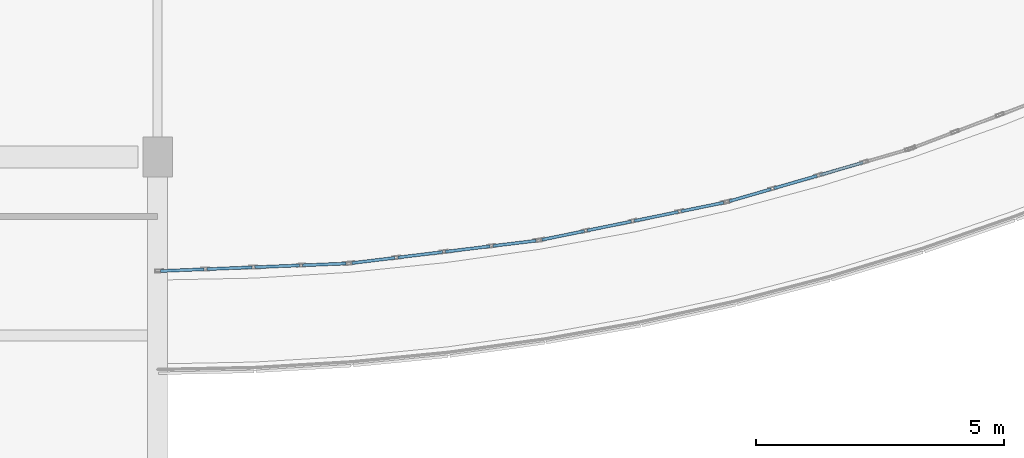
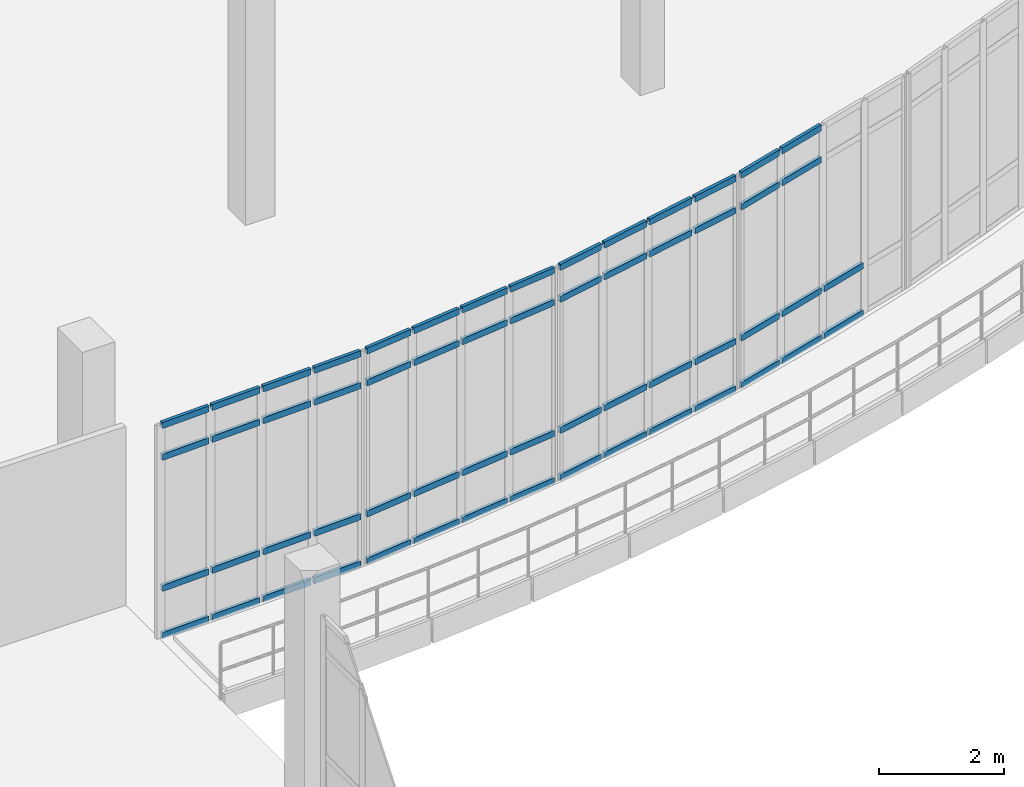
# One storey, part 82 of 124: 58 members, 4 elements without a shape of their own.
"""IFC4 building model written with IfcOpenShell, lengths in metres."""

from ifc_helpers import new_model, si_unit, direction, frame, origin, origin_2d, place, context, subcontext, project, spatial, hollow_rectangle, extrude, material, material_profile, profile_set, type_object, element, aggregate, save


model = new_model("IFC4")

# Units and contexts
model_context = context("Model", 3, precision=1e-05, world=origin(), true_north=direction((0.0, 1.0)))
body_context = subcontext(model_context, "Body", "Model", "MODEL_VIEW")
ifc_project = project(units=[si_unit("LENGTHUNIT", "METRE"), si_unit("AREAUNIT", "SQUARE_METRE"), si_unit("VOLUMEUNIT", "CUBIC_METRE"), si_unit("PLANEANGLEUNIT", "RADIAN"), si_unit("MASSUNIT", "GRAM", prefix="KILO")], contexts=[model_context])

# Site, building, storey
site_placement = place(None, origin())
site = spatial("IfcSite", under=ifc_project, at=site_placement, CompositionType="ELEMENT")
building_placement = place(site_placement, origin())
building = spatial("IfcBuilding", under=site, at=building_placement, Name="Kalluvel Institute of Natural Sciences", CompositionType="ELEMENT")
storey_placement = place(building_placement, frame((0.0, 0.0, 9.89990234375)))
storey = spatial("IfcBuildingStorey", under=building, at=storey_placement, Name="L02", CompositionType="ELEMENT", Elevation=9.89990234375)

# Curtain wall, members
ifc_material = material(Name="Aluminium AW-6063 T6", Category="aluminium")
curtain_wall_type = type_object("IfcCurtainWallType", Name="CW-ATR-ARC", PredefinedType="USERDEFINED", material=ifc_material)
curtain_wall_1_placement = place(storey_placement, origin())
curtain_wall_1 = element("IfcCurtainWall", 1, at=curtain_wall_1_placement, inside=storey, type_object=curtain_wall_type, Name="L02 Gothic lancet curtain wall CWA-L02-X356-Y549", ObjectType="UNITISED LANCET FACADE", PredefinedType="USERDEFINED")
ifc_material_profile = material_profile(ifc_material, hollow_rectangle(XDim=0.06005859375, YDim=0.1201171875, WallThickness=0.00390625, at=origin_2d()), Name="CWT 60x120")
ifc_profile_set = profile_set([ifc_material_profile], Name="Aluminium AW-6063 T6")
member_type = type_object("IfcMemberType", Name="CWT-60x120", PredefinedType="USERDEFINED", material=ifc_profile_set)
member_1_placement = place(storey_placement, frame((35.659912109375, 54.90234375, 0.030029296875), z_axis=(0.999191565767, 0.04020217532, 0.0), x_axis=(-0.04020217532, 0.999191565767, 0.0)))
member_1 = element("IfcMember", 2, at=member_1_placement, type_object=member_type, Name="CW-05 transom 1.1", ObjectType="TRANSOM", PredefinedType="USERDEFINED", context=body_context, shape_type="SweptSolid", body=[
    extrude(hollow_rectangle(XDim=0.06005859375, YDim=0.1201171875, WallThickness=0.00390625, at=origin_2d()), origin(), (0.0, 0.0, 1.0), 0.87451171875),
])
member_2_placement = place(storey_placement, frame((35.659912109375, 54.90234375, 0.9501953125), z_axis=(0.999191565767, 0.04020217532, 0.0), x_axis=(-0.04020217532, 0.999191565767, 0.0)))
member_2 = element("IfcMember", 3, at=member_2_placement, type_object=member_type, Name="CW-05 transom 1.2", ObjectType="TRANSOM", PredefinedType="USERDEFINED", context=body_context, shape_type="SweptSolid", body=[
    extrude(hollow_rectangle(XDim=0.06005859375, YDim=0.1201171875, WallThickness=0.00390625, at=origin_2d()), origin(), (0.0, 0.0, 1.0), 0.87451171875),
])
member_3_placement = place(storey_placement, frame((35.659912109375, 54.90234375, 3.5), z_axis=(0.999191565767, 0.04020217532, 0.0), x_axis=(-0.04020217532, 0.999191565767, 0.0)))
member_3 = element("IfcMember", 4, at=member_3_placement, type_object=member_type, Name="CW-05 transom 1.3", ObjectType="TRANSOM", PredefinedType="USERDEFINED", context=body_context, shape_type="SweptSolid", body=[
    extrude(hollow_rectangle(XDim=0.06005859375, YDim=0.1201171875, WallThickness=0.00390625, at=origin_2d()), origin(), (0.0, 0.0, 1.0), 0.87451171875),
])
member_4_placement = place(storey_placement, frame((35.659912109375, 54.90234375, 4.1201171875), z_axis=(0.999191565767, 0.04020217532, 0.0), x_axis=(-0.04020217532, 0.999191565767, 0.0)))
member_4 = element("IfcMember", 5, at=member_4_placement, type_object=member_type, Name="CW-05 transom 1.4", ObjectType="TRANSOM", PredefinedType="USERDEFINED", context=body_context, shape_type="SweptSolid", body=[
    extrude(hollow_rectangle(XDim=0.06005859375, YDim=0.1201171875, WallThickness=0.00390625, at=origin_2d()), origin(), (0.0, 0.0, 1.0), 0.87451171875),
])
member_5_placement = place(storey_placement, frame((36.593505859375, 54.93994140625, 0.030029296875), z_axis=(0.999179686781, 0.040496339643, 0.0), x_axis=(-0.040496339643, 0.999179686781, 0.0)))
member_5 = element("IfcMember", 6, at=member_5_placement, type_object=member_type, Name="CW-05 transom 2.1", ObjectType="TRANSOM", PredefinedType="USERDEFINED", context=body_context, shape_type="SweptSolid", body=[
    extrude(hollow_rectangle(XDim=0.06005859375, YDim=0.1201171875, WallThickness=0.00390625, at=origin_2d()), origin(), (0.0, 0.0, 1.0), 0.904296875),
])
member_6_placement = place(storey_placement, frame((36.593505859375, 54.93994140625, 0.9501953125), z_axis=(0.999179686781, 0.040496339643, 0.0), x_axis=(-0.040496339643, 0.999179686781, 0.0)))
member_6 = element("IfcMember", 7, at=member_6_placement, type_object=member_type, Name="CW-05 transom 2.2", ObjectType="TRANSOM", PredefinedType="USERDEFINED", context=body_context, shape_type="SweptSolid", body=[
    extrude(hollow_rectangle(XDim=0.06005859375, YDim=0.1201171875, WallThickness=0.00390625, at=origin_2d()), origin(), (0.0, 0.0, 1.0), 0.904296875),
])
member_7_placement = place(storey_placement, frame((36.593505859375, 54.93994140625, 3.5), z_axis=(0.999179686781, 0.040496339643, 0.0), x_axis=(-0.040496339643, 0.999179686781, 0.0)))
member_7 = element("IfcMember", 8, at=member_7_placement, type_object=member_type, Name="CW-05 transom 2.3", ObjectType="TRANSOM", PredefinedType="USERDEFINED", context=body_context, shape_type="SweptSolid", body=[
    extrude(hollow_rectangle(XDim=0.06005859375, YDim=0.1201171875, WallThickness=0.00390625, at=origin_2d()), origin(), (0.0, 0.0, 1.0), 0.904296875),
])
member_8_placement = place(storey_placement, frame((36.593505859375, 54.93994140625, 4.1201171875), z_axis=(0.999179686781, 0.040496339643, 0.0), x_axis=(-0.040496339643, 0.999179686781, 0.0)))
member_8 = element("IfcMember", 9, at=member_8_placement, type_object=member_type, Name="CW-05 transom 2.4", ObjectType="TRANSOM", PredefinedType="USERDEFINED", context=body_context, shape_type="SweptSolid", body=[
    extrude(hollow_rectangle(XDim=0.06005859375, YDim=0.1201171875, WallThickness=0.00390625, at=origin_2d()), origin(), (0.0, 0.0, 1.0), 0.904296875),
])
member_9_placement = place(storey_placement, frame((37.55712890625, 54.978759765625, 0.030029296875), z_axis=(0.999179686781, 0.040496339643, 0.0), x_axis=(-0.040496339643, 0.999179686781, 0.0)))
member_9 = element("IfcMember", 10, at=member_9_placement, type_object=member_type, Name="CW-05 transom 3.1", ObjectType="TRANSOM", PredefinedType="USERDEFINED", context=body_context, shape_type="SweptSolid", body=[
    extrude(hollow_rectangle(XDim=0.06005859375, YDim=0.1201171875, WallThickness=0.00390625, at=origin_2d()), origin(), (0.0, 0.0, 1.0), 0.904296875),
])
member_10_placement = place(storey_placement, frame((37.55712890625, 54.978759765625, 0.9501953125), z_axis=(0.999179686781, 0.040496339643, 0.0), x_axis=(-0.040496339643, 0.999179686781, 0.0)))
member_10 = element("IfcMember", 11, at=member_10_placement, type_object=member_type, Name="CW-05 transom 3.2", ObjectType="TRANSOM", PredefinedType="USERDEFINED", context=body_context, shape_type="SweptSolid", body=[
    extrude(hollow_rectangle(XDim=0.06005859375, YDim=0.1201171875, WallThickness=0.00390625, at=origin_2d()), origin(), (0.0, 0.0, 1.0), 0.904296875),
])
member_11_placement = place(storey_placement, frame((37.55712890625, 54.978759765625, 3.5), z_axis=(0.999179686781, 0.040496339643, 0.0), x_axis=(-0.040496339643, 0.999179686781, 0.0)))
member_11 = element("IfcMember", 12, at=member_11_placement, type_object=member_type, Name="CW-05 transom 3.3", ObjectType="TRANSOM", PredefinedType="USERDEFINED", context=body_context, shape_type="SweptSolid", body=[
    extrude(hollow_rectangle(XDim=0.06005859375, YDim=0.1201171875, WallThickness=0.00390625, at=origin_2d()), origin(), (0.0, 0.0, 1.0), 0.904296875),
])
member_12_placement = place(storey_placement, frame((37.55712890625, 54.978759765625, 4.1201171875), z_axis=(0.999179686781, 0.040496339643, 0.0), x_axis=(-0.040496339643, 0.999179686781, 0.0)))
member_12 = element("IfcMember", 13, at=member_12_placement, type_object=member_type, Name="CW-05 transom 3.4", ObjectType="TRANSOM", PredefinedType="USERDEFINED", context=body_context, shape_type="SweptSolid", body=[
    extrude(hollow_rectangle(XDim=0.06005859375, YDim=0.1201171875, WallThickness=0.00390625, at=origin_2d()), origin(), (0.0, 0.0, 1.0), 0.904296875),
])
member_13_placement = place(storey_placement, frame((38.520751953125, 55.017578125, 0.030029296875), z_axis=(0.999179854694, 0.040492196459, 0.0), x_axis=(-0.040492196459, 0.999179854694, 0.0)))
member_13 = element("IfcMember", 14, at=member_13_placement, type_object=member_type, Name="CW-05 transom 4.1", ObjectType="TRANSOM", PredefinedType="USERDEFINED", context=body_context, shape_type="SweptSolid", body=[
    extrude(hollow_rectangle(XDim=0.06005859375, YDim=0.1201171875, WallThickness=0.00390625, at=origin_2d()), origin(), (0.0, 0.0, 1.0), 0.874267578125),
])
member_14_placement = place(storey_placement, frame((38.520751953125, 55.017578125, 0.9501953125), z_axis=(0.999179854694, 0.040492196459, 0.0), x_axis=(-0.040492196459, 0.999179854694, 0.0)))
member_14 = element("IfcMember", 15, at=member_14_placement, type_object=member_type, Name="CW-05 transom 4.2", ObjectType="TRANSOM", PredefinedType="USERDEFINED", context=body_context, shape_type="SweptSolid", body=[
    extrude(hollow_rectangle(XDim=0.06005859375, YDim=0.1201171875, WallThickness=0.00390625, at=origin_2d()), origin(), (0.0, 0.0, 1.0), 0.874267578125),
])
member_15_placement = place(storey_placement, frame((38.520751953125, 55.017578125, 3.5), z_axis=(0.999179854694, 0.040492196459, 0.0), x_axis=(-0.040492196459, 0.999179854694, 0.0)))
member_15 = element("IfcMember", 16, at=member_15_placement, type_object=member_type, Name="CW-05 transom 4.3", ObjectType="TRANSOM", PredefinedType="USERDEFINED", context=body_context, shape_type="SweptSolid", body=[
    extrude(hollow_rectangle(XDim=0.06005859375, YDim=0.1201171875, WallThickness=0.00390625, at=origin_2d()), origin(), (0.0, 0.0, 1.0), 0.874267578125),
])
member_16_placement = place(storey_placement, frame((38.520751953125, 55.017578125, 4.1201171875), z_axis=(0.999179854694, 0.040492196459, 0.0), x_axis=(-0.040492196459, 0.999179854694, 0.0)))
member_16 = element("IfcMember", 17, at=member_16_placement, type_object=member_type, Name="CW-05 transom 4.4", ObjectType="TRANSOM", PredefinedType="USERDEFINED", context=body_context, shape_type="SweptSolid", body=[
    extrude(hollow_rectangle(XDim=0.06005859375, YDim=0.1201171875, WallThickness=0.00390625, at=origin_2d()), origin(), (0.0, 0.0, 1.0), 0.874267578125),
])
aggregate(curtain_wall_1, [member_1, member_2, member_3, member_4, member_5, member_6, member_7, member_8, member_9, member_10, member_11, member_12, member_13, member_14, member_15, member_16])

curtain_wall_2_placement = place(storey_placement, origin())
curtain_wall_2 = element("IfcCurtainWall", 18, at=curtain_wall_2_placement, inside=storey, type_object=curtain_wall_type, Name="L02 Gothic lancet curtain wall CWA-L02-X395-Y551", ObjectType="UNITISED LANCET FACADE", PredefinedType="USERDEFINED")
member_17_placement = place(storey_placement, frame((39.513916015625, 55.0625, 0.030029296875), z_axis=(0.992697347024, 0.120631576347, 0.0), x_axis=(-0.120631576347, 0.992697347024, 0.0)))
member_17 = element("IfcMember", 19, at=member_17_placement, type_object=member_type, Name="CW-05 transom 1.1", ObjectType="TRANSOM", PredefinedType="USERDEFINED", context=body_context, shape_type="SweptSolid", body=[
    extrude(hollow_rectangle(XDim=0.06005859375, YDim=0.1201171875, WallThickness=0.00390625, at=origin_2d()), origin(), (0.0, 0.0, 1.0), 0.874267578125),
])
member_18_placement = place(storey_placement, frame((39.513916015625, 55.0625, 0.9501953125), z_axis=(0.992697347024, 0.120631576347, 0.0), x_axis=(-0.120631576347, 0.992697347024, 0.0)))
member_18 = element("IfcMember", 20, at=member_18_placement, type_object=member_type, Name="CW-05 transom 1.2", ObjectType="TRANSOM", PredefinedType="USERDEFINED", context=body_context, shape_type="SweptSolid", body=[
    extrude(hollow_rectangle(XDim=0.06005859375, YDim=0.1201171875, WallThickness=0.00390625, at=origin_2d()), origin(), (0.0, 0.0, 1.0), 0.874267578125),
])
member_19_placement = place(storey_placement, frame((39.513916015625, 55.0625, 3.5), z_axis=(0.992697347024, 0.120631576347, 0.0), x_axis=(-0.120631576347, 0.992697347024, 0.0)))
member_19 = element("IfcMember", 21, at=member_19_placement, type_object=member_type, Name="CW-05 transom 1.3", ObjectType="TRANSOM", PredefinedType="USERDEFINED", context=body_context, shape_type="SweptSolid", body=[
    extrude(hollow_rectangle(XDim=0.06005859375, YDim=0.1201171875, WallThickness=0.00390625, at=origin_2d()), origin(), (0.0, 0.0, 1.0), 0.874267578125),
])
member_20_placement = place(storey_placement, frame((39.513916015625, 55.0625, 4.1201171875), z_axis=(0.992697347024, 0.120631576347, 0.0), x_axis=(-0.120631576347, 0.992697347024, 0.0)))
member_20 = element("IfcMember", 22, at=member_20_placement, type_object=member_type, Name="CW-05 transom 1.4", ObjectType="TRANSOM", PredefinedType="USERDEFINED", context=body_context, shape_type="SweptSolid", body=[
    extrude(hollow_rectangle(XDim=0.06005859375, YDim=0.1201171875, WallThickness=0.00390625, at=origin_2d()), origin(), (0.0, 0.0, 1.0), 0.874267578125),
])
member_21_placement = place(storey_placement, frame((40.44140625, 55.175048828125, 0.030029296875), z_axis=(0.992691698509, 0.120678049832, 0.0), x_axis=(-0.120678049832, 0.992691698509, 0.0)))
member_21 = element("IfcMember", 23, at=member_21_placement, type_object=member_type, Name="CW-05 transom 2.1", ObjectType="TRANSOM", PredefinedType="USERDEFINED", context=body_context, shape_type="SweptSolid", body=[
    extrude(hollow_rectangle(XDim=0.06005859375, YDim=0.1201171875, WallThickness=0.00390625, at=origin_2d()), origin(), (0.0, 0.0, 1.0), 0.904296875),
])
member_22_placement = place(storey_placement, frame((40.44140625, 55.175048828125, 0.9501953125), z_axis=(0.992691698509, 0.120678049832, 0.0), x_axis=(-0.120678049832, 0.992691698509, 0.0)))
member_22 = element("IfcMember", 24, at=member_22_placement, type_object=member_type, Name="CW-05 transom 2.2", ObjectType="TRANSOM", PredefinedType="USERDEFINED", context=body_context, shape_type="SweptSolid", body=[
    extrude(hollow_rectangle(XDim=0.06005859375, YDim=0.1201171875, WallThickness=0.00390625, at=origin_2d()), origin(), (0.0, 0.0, 1.0), 0.904296875),
])
member_23_placement = place(storey_placement, frame((40.44140625, 55.175048828125, 3.5), z_axis=(0.992691698509, 0.120678049832, 0.0), x_axis=(-0.120678049832, 0.992691698509, 0.0)))
member_23 = element("IfcMember", 25, at=member_23_placement, type_object=member_type, Name="CW-05 transom 2.3", ObjectType="TRANSOM", PredefinedType="USERDEFINED", context=body_context, shape_type="SweptSolid", body=[
    extrude(hollow_rectangle(XDim=0.06005859375, YDim=0.1201171875, WallThickness=0.00390625, at=origin_2d()), origin(), (0.0, 0.0, 1.0), 0.904296875),
])
member_24_placement = place(storey_placement, frame((40.44140625, 55.175048828125, 4.1201171875), z_axis=(0.992691698509, 0.120678049832, 0.0), x_axis=(-0.120678049832, 0.992691698509, 0.0)))
member_24 = element("IfcMember", 26, at=member_24_placement, type_object=member_type, Name="CW-05 transom 2.4", ObjectType="TRANSOM", PredefinedType="USERDEFINED", context=body_context, shape_type="SweptSolid", body=[
    extrude(hollow_rectangle(XDim=0.06005859375, YDim=0.1201171875, WallThickness=0.00390625, at=origin_2d()), origin(), (0.0, 0.0, 1.0), 0.904296875),
])
member_25_placement = place(storey_placement, frame((41.398681640625, 55.29150390625, 0.030029296875), z_axis=(0.992727918563, 0.120379731289, 0.0), x_axis=(-0.120379731289, 0.992727918563, 0.0)))
member_25 = element("IfcMember", 27, at=member_25_placement, type_object=member_type, Name="CW-05 transom 3.1", ObjectType="TRANSOM", PredefinedType="USERDEFINED", context=body_context, shape_type="SweptSolid", body=[
    extrude(hollow_rectangle(XDim=0.06005859375, YDim=0.1201171875, WallThickness=0.00390625, at=origin_2d()), origin(), (0.0, 0.0, 1.0), 0.904541015625),
])
member_26_placement = place(storey_placement, frame((41.398681640625, 55.29150390625, 0.9501953125), z_axis=(0.992727918563, 0.120379731289, 0.0), x_axis=(-0.120379731289, 0.992727918563, 0.0)))
member_26 = element("IfcMember", 28, at=member_26_placement, type_object=member_type, Name="CW-05 transom 3.2", ObjectType="TRANSOM", PredefinedType="USERDEFINED", context=body_context, shape_type="SweptSolid", body=[
    extrude(hollow_rectangle(XDim=0.06005859375, YDim=0.1201171875, WallThickness=0.00390625, at=origin_2d()), origin(), (0.0, 0.0, 1.0), 0.904541015625),
])
member_27_placement = place(storey_placement, frame((41.398681640625, 55.29150390625, 3.5), z_axis=(0.992727918563, 0.120379731289, 0.0), x_axis=(-0.120379731289, 0.992727918563, 0.0)))
member_27 = element("IfcMember", 29, at=member_27_placement, type_object=member_type, Name="CW-05 transom 3.3", ObjectType="TRANSOM", PredefinedType="USERDEFINED", context=body_context, shape_type="SweptSolid", body=[
    extrude(hollow_rectangle(XDim=0.06005859375, YDim=0.1201171875, WallThickness=0.00390625, at=origin_2d()), origin(), (0.0, 0.0, 1.0), 0.904541015625),
])
member_28_placement = place(storey_placement, frame((41.398681640625, 55.29150390625, 4.1201171875), z_axis=(0.992727918563, 0.120379731289, 0.0), x_axis=(-0.120379731289, 0.992727918563, 0.0)))
member_28 = element("IfcMember", 30, at=member_28_placement, type_object=member_type, Name="CW-05 transom 3.4", ObjectType="TRANSOM", PredefinedType="USERDEFINED", context=body_context, shape_type="SweptSolid", body=[
    extrude(hollow_rectangle(XDim=0.06005859375, YDim=0.1201171875, WallThickness=0.00390625, at=origin_2d()), origin(), (0.0, 0.0, 1.0), 0.904541015625),
])
member_29_placement = place(storey_placement, frame((42.356201171875, 55.40771484375, 0.030029296875), z_axis=(0.992697347024, 0.120631576347, 0.0), x_axis=(-0.120631576347, 0.992697347024, 0.0)))
member_29 = element("IfcMember", 31, at=member_29_placement, type_object=member_type, Name="CW-05 transom 4.1", ObjectType="TRANSOM", PredefinedType="USERDEFINED", context=body_context, shape_type="SweptSolid", body=[
    extrude(hollow_rectangle(XDim=0.06005859375, YDim=0.1201171875, WallThickness=0.00390625, at=origin_2d()), origin(), (0.0, 0.0, 1.0), 0.874267578125),
])
member_30_placement = place(storey_placement, frame((42.356201171875, 55.40771484375, 0.9501953125), z_axis=(0.992697347024, 0.120631576347, 0.0), x_axis=(-0.120631576347, 0.992697347024, 0.0)))
member_30 = element("IfcMember", 32, at=member_30_placement, type_object=member_type, Name="CW-05 transom 4.2", ObjectType="TRANSOM", PredefinedType="USERDEFINED", context=body_context, shape_type="SweptSolid", body=[
    extrude(hollow_rectangle(XDim=0.06005859375, YDim=0.1201171875, WallThickness=0.00390625, at=origin_2d()), origin(), (0.0, 0.0, 1.0), 0.874267578125),
])
member_31_placement = place(storey_placement, frame((42.356201171875, 55.40771484375, 3.5), z_axis=(0.992697347024, 0.120631576347, 0.0), x_axis=(-0.120631576347, 0.992697347024, 0.0)))
member_31 = element("IfcMember", 33, at=member_31_placement, type_object=member_type, Name="CW-05 transom 4.3", ObjectType="TRANSOM", PredefinedType="USERDEFINED", context=body_context, shape_type="SweptSolid", body=[
    extrude(hollow_rectangle(XDim=0.06005859375, YDim=0.1201171875, WallThickness=0.00390625, at=origin_2d()), origin(), (0.0, 0.0, 1.0), 0.874267578125),
])
member_32_placement = place(storey_placement, frame((42.356201171875, 55.40771484375, 4.1201171875), z_axis=(0.992697347024, 0.120631576347, 0.0), x_axis=(-0.120631576347, 0.992697347024, 0.0)))
member_32 = element("IfcMember", 34, at=member_32_placement, type_object=member_type, Name="CW-05 transom 4.4", ObjectType="TRANSOM", PredefinedType="USERDEFINED", context=body_context, shape_type="SweptSolid", body=[
    extrude(hollow_rectangle(XDim=0.06005859375, YDim=0.1201171875, WallThickness=0.00390625, at=origin_2d()), origin(), (0.0, 0.0, 1.0), 0.874267578125),
])
aggregate(curtain_wall_2, [member_17, member_18, member_19, member_20, member_21, member_22, member_23, member_24, member_25, member_26, member_27, member_28, member_29, member_30, member_31, member_32])

curtain_wall_3_placement = place(storey_placement, origin())
curtain_wall_3 = element("IfcCurtainWall", 35, at=curtain_wall_3_placement, inside=storey, type_object=curtain_wall_type, Name="L02 Gothic lancet curtain wall CWA-L02-X433-Y555", ObjectType="UNITISED LANCET FACADE", PredefinedType="USERDEFINED")
member_33_placement = place(storey_placement, frame((43.342529296875, 55.5322265625, 0.030029296875), z_axis=(0.979756025228, 0.200195232285, 0.0), x_axis=(-0.200195232285, 0.979756025228, 0.0)))
member_33 = element("IfcMember", 36, at=member_33_placement, type_object=member_type, Name="CW-05 transom 1.1", ObjectType="TRANSOM", PredefinedType="USERDEFINED", context=body_context, shape_type="SweptSolid", body=[
    extrude(hollow_rectangle(XDim=0.06005859375, YDim=0.1201171875, WallThickness=0.00390625, at=origin_2d()), origin(), (0.0, 0.0, 1.0), 0.87451171875),
])
member_34_placement = place(storey_placement, frame((43.342529296875, 55.5322265625, 0.9501953125), z_axis=(0.979756025228, 0.200195232285, 0.0), x_axis=(-0.200195232285, 0.979756025228, 0.0)))
member_34 = element("IfcMember", 37, at=member_34_placement, type_object=member_type, Name="CW-05 transom 1.2", ObjectType="TRANSOM", PredefinedType="USERDEFINED", context=body_context, shape_type="SweptSolid", body=[
    extrude(hollow_rectangle(XDim=0.06005859375, YDim=0.1201171875, WallThickness=0.00390625, at=origin_2d()), origin(), (0.0, 0.0, 1.0), 0.87451171875),
])
member_35_placement = place(storey_placement, frame((43.342529296875, 55.5322265625, 3.5), z_axis=(0.979756025228, 0.200195232285, 0.0), x_axis=(-0.200195232285, 0.979756025228, 0.0)))
member_35 = element("IfcMember", 38, at=member_35_placement, type_object=member_type, Name="CW-05 transom 1.3", ObjectType="TRANSOM", PredefinedType="USERDEFINED", context=body_context, shape_type="SweptSolid", body=[
    extrude(hollow_rectangle(XDim=0.06005859375, YDim=0.1201171875, WallThickness=0.00390625, at=origin_2d()), origin(), (0.0, 0.0, 1.0), 0.87451171875),
])
member_36_placement = place(storey_placement, frame((43.342529296875, 55.5322265625, 4.1201171875), z_axis=(0.979756025228, 0.200195232285, 0.0), x_axis=(-0.200195232285, 0.979756025228, 0.0)))
member_36 = element("IfcMember", 39, at=member_36_placement, type_object=member_type, Name="CW-05 transom 1.4", ObjectType="TRANSOM", PredefinedType="USERDEFINED", context=body_context, shape_type="SweptSolid", body=[
    extrude(hollow_rectangle(XDim=0.06005859375, YDim=0.1201171875, WallThickness=0.00390625, at=origin_2d()), origin(), (0.0, 0.0, 1.0), 0.87451171875),
])
member_37_placement = place(storey_placement, frame((44.258056640625, 55.71923828125, 0.030029296875), z_axis=(0.979783542803, 0.200060513976, 0.0), x_axis=(-0.200060513976, 0.979783542803, 0.0)))
member_37 = element("IfcMember", 40, at=member_37_placement, type_object=member_type, Name="CW-05 transom 2.1", ObjectType="TRANSOM", PredefinedType="USERDEFINED", context=body_context, shape_type="SweptSolid", body=[
    extrude(hollow_rectangle(XDim=0.06005859375, YDim=0.1201171875, WallThickness=0.00390625, at=origin_2d()), origin(), (0.0, 0.0, 1.0), 0.904296875),
])
member_38_placement = place(storey_placement, frame((44.258056640625, 55.71923828125, 0.9501953125), z_axis=(0.979783542803, 0.200060513976, 0.0), x_axis=(-0.200060513976, 0.979783542803, 0.0)))
member_38 = element("IfcMember", 41, at=member_38_placement, type_object=member_type, Name="CW-05 transom 2.2", ObjectType="TRANSOM", PredefinedType="USERDEFINED", context=body_context, shape_type="SweptSolid", body=[
    extrude(hollow_rectangle(XDim=0.06005859375, YDim=0.1201171875, WallThickness=0.00390625, at=origin_2d()), origin(), (0.0, 0.0, 1.0), 0.904296875),
])
member_39_placement = place(storey_placement, frame((44.258056640625, 55.71923828125, 3.5), z_axis=(0.979783542803, 0.200060513976, 0.0), x_axis=(-0.200060513976, 0.979783542803, 0.0)))
member_39 = element("IfcMember", 42, at=member_39_placement, type_object=member_type, Name="CW-05 transom 2.3", ObjectType="TRANSOM", PredefinedType="USERDEFINED", context=body_context, shape_type="SweptSolid", body=[
    extrude(hollow_rectangle(XDim=0.06005859375, YDim=0.1201171875, WallThickness=0.00390625, at=origin_2d()), origin(), (0.0, 0.0, 1.0), 0.904296875),
])
member_40_placement = place(storey_placement, frame((44.258056640625, 55.71923828125, 4.1201171875), z_axis=(0.979783542803, 0.200060513976, 0.0), x_axis=(-0.200060513976, 0.979783542803, 0.0)))
member_40 = element("IfcMember", 43, at=member_40_placement, type_object=member_type, Name="CW-05 transom 2.4", ObjectType="TRANSOM", PredefinedType="USERDEFINED", context=body_context, shape_type="SweptSolid", body=[
    extrude(hollow_rectangle(XDim=0.06005859375, YDim=0.1201171875, WallThickness=0.00390625, at=origin_2d()), origin(), (0.0, 0.0, 1.0), 0.904296875),
])
member_41_placement = place(storey_placement, frame((45.202880859375, 55.912109375, 0.030029296875), z_axis=(0.979783542803, 0.200060513976, 0.0), x_axis=(-0.200060513976, 0.979783542803, 0.0)))
member_41 = element("IfcMember", 44, at=member_41_placement, type_object=member_type, Name="CW-05 transom 3.1", ObjectType="TRANSOM", PredefinedType="USERDEFINED", context=body_context, shape_type="SweptSolid", body=[
    extrude(hollow_rectangle(XDim=0.06005859375, YDim=0.1201171875, WallThickness=0.00390625, at=origin_2d()), origin(), (0.0, 0.0, 1.0), 0.904296875),
])
member_42_placement = place(storey_placement, frame((45.202880859375, 55.912109375, 0.9501953125), z_axis=(0.979783542803, 0.200060513976, 0.0), x_axis=(-0.200060513976, 0.979783542803, 0.0)))
member_42 = element("IfcMember", 45, at=member_42_placement, type_object=member_type, Name="CW-05 transom 3.2", ObjectType="TRANSOM", PredefinedType="USERDEFINED", context=body_context, shape_type="SweptSolid", body=[
    extrude(hollow_rectangle(XDim=0.06005859375, YDim=0.1201171875, WallThickness=0.00390625, at=origin_2d()), origin(), (0.0, 0.0, 1.0), 0.904296875),
])
member_43_placement = place(storey_placement, frame((45.202880859375, 55.912109375, 3.5), z_axis=(0.979783542803, 0.200060513976, 0.0), x_axis=(-0.200060513976, 0.979783542803, 0.0)))
member_43 = element("IfcMember", 46, at=member_43_placement, type_object=member_type, Name="CW-05 transom 3.3", ObjectType="TRANSOM", PredefinedType="USERDEFINED", context=body_context, shape_type="SweptSolid", body=[
    extrude(hollow_rectangle(XDim=0.06005859375, YDim=0.1201171875, WallThickness=0.00390625, at=origin_2d()), origin(), (0.0, 0.0, 1.0), 0.904296875),
])
member_44_placement = place(storey_placement, frame((45.202880859375, 55.912109375, 4.1201171875), z_axis=(0.979783542803, 0.200060513976, 0.0), x_axis=(-0.200060513976, 0.979783542803, 0.0)))
member_44 = element("IfcMember", 47, at=member_44_placement, type_object=member_type, Name="CW-05 transom 3.4", ObjectType="TRANSOM", PredefinedType="USERDEFINED", context=body_context, shape_type="SweptSolid", body=[
    extrude(hollow_rectangle(XDim=0.06005859375, YDim=0.1201171875, WallThickness=0.00390625, at=origin_2d()), origin(), (0.0, 0.0, 1.0), 0.904296875),
])
member_45_placement = place(storey_placement, frame((46.147705078125, 56.10498046875, 0.030029296875), z_axis=(0.979810757021, 0.199927187811, 0.0), x_axis=(-0.199927187811, 0.979810757021, 0.0)))
member_45 = element("IfcMember", 48, at=member_45_placement, type_object=member_type, Name="CW-05 transom 4.1", ObjectType="TRANSOM", PredefinedType="USERDEFINED", context=body_context, shape_type="SweptSolid", body=[
    extrude(hollow_rectangle(XDim=0.06005859375, YDim=0.1201171875, WallThickness=0.00390625, at=origin_2d()), origin(), (0.0, 0.0, 1.0), 0.874267578125),
])
member_46_placement = place(storey_placement, frame((46.147705078125, 56.10498046875, 0.9501953125), z_axis=(0.979810757021, 0.199927187811, 0.0), x_axis=(-0.199927187811, 0.979810757021, 0.0)))
member_46 = element("IfcMember", 49, at=member_46_placement, type_object=member_type, Name="CW-05 transom 4.2", ObjectType="TRANSOM", PredefinedType="USERDEFINED", context=body_context, shape_type="SweptSolid", body=[
    extrude(hollow_rectangle(XDim=0.06005859375, YDim=0.1201171875, WallThickness=0.00390625, at=origin_2d()), origin(), (0.0, 0.0, 1.0), 0.874267578125),
])
member_47_placement = place(storey_placement, frame((46.147705078125, 56.10498046875, 3.5), z_axis=(0.979810757021, 0.199927187811, 0.0), x_axis=(-0.199927187811, 0.979810757021, 0.0)))
member_47 = element("IfcMember", 50, at=member_47_placement, type_object=member_type, Name="CW-05 transom 4.3", ObjectType="TRANSOM", PredefinedType="USERDEFINED", context=body_context, shape_type="SweptSolid", body=[
    extrude(hollow_rectangle(XDim=0.06005859375, YDim=0.1201171875, WallThickness=0.00390625, at=origin_2d()), origin(), (0.0, 0.0, 1.0), 0.874267578125),
])
member_48_placement = place(storey_placement, frame((46.147705078125, 56.10498046875, 4.1201171875), z_axis=(0.979810757021, 0.199927187811, 0.0), x_axis=(-0.199927187811, 0.979810757021, 0.0)))
member_48 = element("IfcMember", 51, at=member_48_placement, type_object=member_type, Name="CW-05 transom 4.4", ObjectType="TRANSOM", PredefinedType="USERDEFINED", context=body_context, shape_type="SweptSolid", body=[
    extrude(hollow_rectangle(XDim=0.06005859375, YDim=0.1201171875, WallThickness=0.00390625, at=origin_2d()), origin(), (0.0, 0.0, 1.0), 0.874267578125),
])
aggregate(curtain_wall_3, [member_33, member_34, member_35, member_36, member_37, member_38, member_39, member_40, member_41, member_42, member_43, member_44, member_45, member_46, member_47, member_48])

curtain_wall_4_placement = place(storey_placement, origin())
curtain_wall_4 = element("IfcCurtainWall", 52, at=curtain_wall_4_placement, inside=storey, type_object=curtain_wall_type, Name="L02 Gothic lancet curtain wall CWA-L02-X471-Y563", ObjectType="UNITISED LANCET FACADE", PredefinedType="USERDEFINED")
member_49_placement = place(storey_placement, frame((47.120849609375, 56.30859375, 0.030029296875), z_axis=(0.960548561814, 0.278112316153, 0.0), x_axis=(-0.278112316153, 0.960548561814, 0.0)))
member_49 = element("IfcMember", 53, at=member_49_placement, type_object=member_type, Name="CW-05 transom 1.1", ObjectType="TRANSOM", PredefinedType="USERDEFINED", context=body_context, shape_type="SweptSolid", body=[
    extrude(hollow_rectangle(XDim=0.06005859375, YDim=0.1201171875, WallThickness=0.00390625, at=origin_2d()), origin(), (0.0, 0.0, 1.0), 0.874267578125),
])
member_50_placement = place(storey_placement, frame((47.120849609375, 56.30859375, 0.9501953125), z_axis=(0.960548561814, 0.278112316153, 0.0), x_axis=(-0.278112316153, 0.960548561814, 0.0)))
member_50 = element("IfcMember", 54, at=member_50_placement, type_object=member_type, Name="CW-05 transom 1.2", ObjectType="TRANSOM", PredefinedType="USERDEFINED", context=body_context, shape_type="SweptSolid", body=[
    extrude(hollow_rectangle(XDim=0.06005859375, YDim=0.1201171875, WallThickness=0.00390625, at=origin_2d()), origin(), (0.0, 0.0, 1.0), 0.874267578125),
])
member_51_placement = place(storey_placement, frame((47.120849609375, 56.30859375, 3.5), z_axis=(0.960548561814, 0.278112316153, 0.0), x_axis=(-0.278112316153, 0.960548561814, 0.0)))
member_51 = element("IfcMember", 55, at=member_51_placement, type_object=member_type, Name="CW-05 transom 1.3", ObjectType="TRANSOM", PredefinedType="USERDEFINED", context=body_context, shape_type="SweptSolid", body=[
    extrude(hollow_rectangle(XDim=0.06005859375, YDim=0.1201171875, WallThickness=0.00390625, at=origin_2d()), origin(), (0.0, 0.0, 1.0), 0.874267578125),
])
member_52_placement = place(storey_placement, frame((47.120849609375, 56.30859375, 4.1201171875), z_axis=(0.960548561814, 0.278112316153, 0.0), x_axis=(-0.278112316153, 0.960548561814, 0.0)))
member_52 = element("IfcMember", 56, at=member_52_placement, type_object=member_type, Name="CW-05 transom 1.4", ObjectType="TRANSOM", PredefinedType="USERDEFINED", context=body_context, shape_type="SweptSolid", body=[
    extrude(hollow_rectangle(XDim=0.06005859375, YDim=0.1201171875, WallThickness=0.00390625, at=origin_2d()), origin(), (0.0, 0.0, 1.0), 0.874267578125),
])
member_53_placement = place(storey_placement, frame((48.018310546875, 56.568603515625, 0.030029296875), z_axis=(0.960560469191, 0.278071186978, 0.0), x_axis=(-0.278071186978, 0.960560469191, 0.0)))
member_53 = element("IfcMember", 57, at=member_53_placement, type_object=member_type, Name="CW-05 transom 2.1", ObjectType="TRANSOM", PredefinedType="USERDEFINED", context=body_context, shape_type="SweptSolid", body=[
    extrude(hollow_rectangle(XDim=0.06005859375, YDim=0.1201171875, WallThickness=0.00390625, at=origin_2d()), origin(), (0.0, 0.0, 1.0), 0.904296875),
])
member_54_placement = place(storey_placement, frame((48.018310546875, 56.568603515625, 0.9501953125), z_axis=(0.960560469191, 0.278071186978, 0.0), x_axis=(-0.278071186978, 0.960560469191, 0.0)))
member_54 = element("IfcMember", 58, at=member_54_placement, type_object=member_type, Name="CW-05 transom 2.2", ObjectType="TRANSOM", PredefinedType="USERDEFINED", context=body_context, shape_type="SweptSolid", body=[
    extrude(hollow_rectangle(XDim=0.06005859375, YDim=0.1201171875, WallThickness=0.00390625, at=origin_2d()), origin(), (0.0, 0.0, 1.0), 0.904296875),
])
member_55_placement = place(storey_placement, frame((48.018310546875, 56.568603515625, 3.5), z_axis=(0.960560469191, 0.278071186978, 0.0), x_axis=(-0.278071186978, 0.960560469191, 0.0)))
member_55 = element("IfcMember", 59, at=member_55_placement, type_object=member_type, Name="CW-05 transom 2.3", ObjectType="TRANSOM", PredefinedType="USERDEFINED", context=body_context, shape_type="SweptSolid", body=[
    extrude(hollow_rectangle(XDim=0.06005859375, YDim=0.1201171875, WallThickness=0.00390625, at=origin_2d()), origin(), (0.0, 0.0, 1.0), 0.904296875),
])
member_56_placement = place(storey_placement, frame((48.018310546875, 56.568603515625, 4.1201171875), z_axis=(0.960560469191, 0.278071186978, 0.0), x_axis=(-0.278071186978, 0.960560469191, 0.0)))
member_56 = element("IfcMember", 60, at=member_56_placement, type_object=member_type, Name="CW-05 transom 2.4", ObjectType="TRANSOM", PredefinedType="USERDEFINED", context=body_context, shape_type="SweptSolid", body=[
    extrude(hollow_rectangle(XDim=0.06005859375, YDim=0.1201171875, WallThickness=0.00390625, at=origin_2d()), origin(), (0.0, 0.0, 1.0), 0.904296875),
])
member_57_placement = place(storey_placement, frame((48.944580078125, 56.8369140625, 0.030029296875), z_axis=(0.960560469191, 0.278071186978, 0.0), x_axis=(-0.278071186978, 0.960560469191, 0.0)))
member_57 = element("IfcMember", 61, at=member_57_placement, type_object=member_type, Name="CW-05 transom 3.1", ObjectType="TRANSOM", PredefinedType="USERDEFINED", context=body_context, shape_type="SweptSolid", body=[
    extrude(hollow_rectangle(XDim=0.06005859375, YDim=0.1201171875, WallThickness=0.00390625, at=origin_2d()), origin(), (0.0, 0.0, 1.0), 0.904296875),
])
member_58_placement = place(storey_placement, frame((48.944580078125, 56.8369140625, 0.9501953125), z_axis=(0.960560469191, 0.278071186978, 0.0), x_axis=(-0.278071186978, 0.960560469191, 0.0)))
member_58 = element("IfcMember", 62, at=member_58_placement, type_object=member_type, Name="CW-05 transom 3.2", ObjectType="TRANSOM", PredefinedType="USERDEFINED", context=body_context, shape_type="SweptSolid", body=[
    extrude(hollow_rectangle(XDim=0.06005859375, YDim=0.1201171875, WallThickness=0.00390625, at=origin_2d()), origin(), (0.0, 0.0, 1.0), 0.904296875),
])
aggregate(curtain_wall_4, [member_49, member_50, member_51, member_52, member_53, member_54, member_55, member_56, member_57, member_58])

save(model, "model.ifc")
